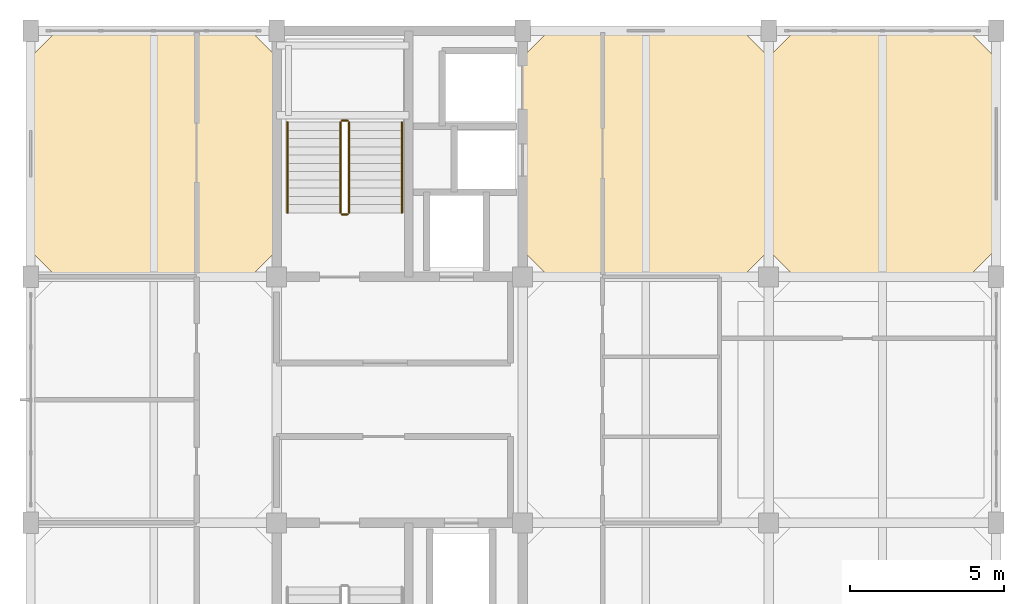
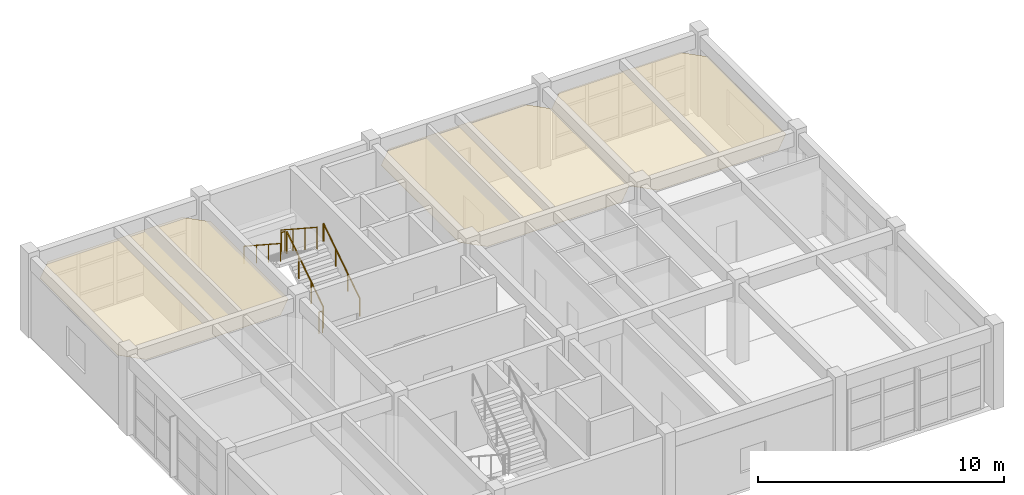
# One storey, part 18 of 18: 6 railings, 3 coverings.
"""IFC4 building model written with IfcOpenShell, lengths in metres."""

import ifcopenshell
import ifcopenshell.guid

model = None  # the IFC model being written
_history = None  # IfcOwnerHistory: only IFC2X3 demands one
_inside = {}  # id of a spatial element -> (the spatial element, [elements in it])
_under = {}  # id of a project, library or spatial element -> (it, [spatial elements below it])
_declared = {}  # id of a project -> (the project, [libraries it declares])
_typed = {}  # id of a type object -> (the type object, [elements of that type])
_made_of = {}  # id of a material, layer set ... -> (it, [elements and type objects made of it])


def new_model(schema):
    """Start an empty IFC model of exactly this schema.

    Asked for "IFC4X3", IfcOpenShell would pick the latest addendum, in which some entities
    have other attributes; the version numbers below select the first issue.
    IFC2X3 requires an IfcOwnerHistory on every rooted entity: one is made here for all.
    """
    global model, _history
    if schema == "IFC4X3":
        model = ifcopenshell.file(schema_version=(4, 3, 0, 0))
    else:
        model = ifcopenshell.file(schema=schema)
    _inside.clear()
    _under.clear()
    _declared.clear()
    _typed.clear()
    _made_of.clear()
    _history = None
    if model.schema == "IFC2X3":
        org = make("IfcOrganization", Name="unknown")
        user = make(
            "IfcPersonAndOrganization",
            ThePerson=make("IfcPerson", FamilyName="unknown"),
            TheOrganization=org,
        )
        app = make(
            "IfcApplication",
            ApplicationDeveloper=org,
            Version="unknown",
            ApplicationFullName="unknown",
            ApplicationIdentifier="unknown",
        )
        _history = make(
            "IfcOwnerHistory",
            OwningUser=user,
            OwningApplication=app,
            ChangeAction="ADDED",
            CreationDate=0,
        )
    return model


def make(cls, **values):
    """One entity of the class cls with the attributes given. An attribute that is None is left unset."""
    return model.create_entity(
        cls, **{name: value for name, value in values.items() if value is not None}
    )


def rooted(cls, **values):
    """An entity with a GlobalId (a new one), such as an element, a storey or a relation."""
    return make(cls, GlobalId=ifcopenshell.guid.new(), OwnerHistory=_history, **values)


def si_unit(unit_type, name, prefix=None):
    """IfcSIUnit, for example si_unit("LENGTHUNIT", "METRE", prefix="MILLI")."""
    return make("IfcSIUnit", UnitType=unit_type, Prefix=prefix, Name=name)


def assignment(units):
    """IfcUnitAssignment: the units of a project."""
    return None if units is None else make("IfcUnitAssignment", Units=units)


def point(xyz):
    """IfcCartesianPoint."""
    return None if xyz is None else make("IfcCartesianPoint", Coordinates=xyz)


def direction(xyz):
    """IfcDirection."""
    return None if xyz is None else make("IfcDirection", DirectionRatios=xyz)


def frame(location, z_axis=None, x_axis=None):
    """IfcAxis2Placement3D, a coordinate frame: its origin and axes. An axis left out is left unset."""
    return make(
        "IfcAxis2Placement3D",
        Location=point(location),
        Axis=direction(z_axis),
        RefDirection=direction(x_axis),
    )


def frame_2d(location, x_axis=None):
    """IfcAxis2Placement2D, a coordinate frame in the plane: its origin and x axis."""
    return make(
        "IfcAxis2Placement2D", Location=point(location), RefDirection=direction(x_axis)
    )


def origin():
    """The frame at (0, 0, 0) with its axes left unset."""
    return frame((0.0, 0.0, 0.0))


def origin_2d():
    """The frame at (0, 0) in the plane with its x axis left unset."""
    return frame_2d((0.0, 0.0))


def place(relative_to, where):
    """IfcLocalPlacement: puts the frame where relative to a parent placement (None: the world)."""
    return make(
        "IfcLocalPlacement", PlacementRelTo=relative_to, RelativePlacement=where
    )


def context(
    kind, dimensions, precision=None, world=None, true_north=None, identifier=None
):
    """IfcGeometricRepresentationContext, for example the 3D "Model" context."""
    return make(
        "IfcGeometricRepresentationContext",
        ContextIdentifier=identifier,
        ContextType=kind,
        CoordinateSpaceDimension=dimensions,
        Precision=precision,
        WorldCoordinateSystem=world,
        TrueNorth=true_north,
    )


def subcontext(parent, identifier, kind, view, scale=None):
    """IfcGeometricRepresentationSubContext, for example "Body" below "Model"."""
    return make(
        "IfcGeometricRepresentationSubContext",
        ContextIdentifier=identifier,
        ContextType=kind,
        ParentContext=parent,
        TargetScale=scale,
        TargetView=view,
    )


def project(units=None, contexts=None):
    """IfcProject with its units and contexts."""
    return rooted(
        "IfcProject",
        Name="project",
        RepresentationContexts=contexts,
        UnitsInContext=assignment(units),
    )


def spatial(cls, under=None, at=None, **own):
    """A site, building, storey or space (cls), placed at a placement, below another one or the project."""
    s = rooted(cls, ObjectPlacement=at, **own)
    if under is not None:
        _under.setdefault(under.id(), (under, []))[1].append(s)
    return s


def polyline(points):
    """IfcPolyline through the points."""
    return make("IfcPolyline", Points=[point(p) for p in points])


def profile(cls, at=None, kind="AREA", **sizes):
    """A parametric profile (cls). Its sizes go by their IFC names, for example OverallWidth=200.0."""
    return make(cls, ProfileType=kind, Position=at, **sizes)


def circle(**sizes):
    """IfcCircleProfileDef."""
    return profile("IfcCircleProfileDef", **sizes)


def outline(outer, holes=None, kind="AREA"):
    """IfcArbitraryClosedProfileDef: a profile drawn as a closed curve; with holes, ...WithVoids."""
    if holes is None:
        return make("IfcArbitraryClosedProfileDef", ProfileType=kind, OuterCurve=outer)
    return make(
        "IfcArbitraryProfileDefWithVoids",
        ProfileType=kind,
        OuterCurve=outer,
        InnerCurves=holes,
    )


def extrude(swept, where, along, depth):
    """IfcExtrudedAreaSolid: the profile swept, set in the frame where, extruded along a direction by depth."""
    return make(
        "IfcExtrudedAreaSolid",
        SweptArea=swept,
        Position=where,
        ExtrudedDirection=direction(along),
        Depth=depth,
    )


def shape(context_of_items, identifier, shape_type, items):
    """IfcShapeRepresentation: the items that make up one representation, for example the "Body"."""
    return make(
        "IfcShapeRepresentation",
        ContextOfItems=context_of_items,
        RepresentationIdentifier=identifier,
        RepresentationType=shape_type,
        Items=items,
    )


def material(Name=None, Category=None):
    """IfcMaterial."""
    return make("IfcMaterial", Name=Name, Category=Category)


def layer(
    of_material, thickness, ventilated=None, Name=None, Category=None, Priority=None
):
    """IfcMaterialLayer: one layer of a wall or slab, of a material (None: an air gap)."""
    return make(
        "IfcMaterialLayer",
        Material=of_material,
        LayerThickness=thickness,
        IsVentilated=ventilated,
        Name=Name,
        Category=Category,
        Priority=Priority,
    )


def layer_set(layers, Name=None):
    """IfcMaterialLayerSet."""
    return make("IfcMaterialLayerSet", MaterialLayers=layers, LayerSetName=Name)


def made_of(thing, what):
    """Note that an element or type object is made of a material, layer set ...; save() writes the relation."""
    if what is not None:
        _made_of.setdefault(what.id(), (what, []))[1].append(thing)
    return thing


def type_object(cls, material=None, **own):
    """A type object (cls), such as IfcWallType, which elements share."""
    return made_of(rooted(cls, **own), material)


def element(
    cls,
    number,
    at=None,
    inside=None,
    cuts=None,
    type_object=None,
    material=None,
    context=None,
    identifier="Body",
    shape_type=None,
    held_by="IfcProductDefinitionShape",
    body=None,
    shapes=None,
    **own,
):
    """One element of the class cls, such as IfcWall. Its Tag is "e" and its number.

    at: its placement. inside: the storey or other place that contains it. cuts: it is an
    opening in that element (IfcRelVoidsElement). A single representation is given by context,
    identifier, shape_type and body (its items); several are given by shapes. held_by: the class
    of the entity that holds the representations. save() writes the other relations.
    """
    e = rooted(cls, Tag="e%d" % number, ObjectPlacement=at, **own)
    if body is not None:
        shapes = [shape(context, identifier, shape_type, body)]
    if shapes is not None:
        e.Representation = make(held_by, Representations=shapes)
    if inside is not None:
        _inside.setdefault(inside.id(), (inside, []))[1].append(e)
    if cuts is not None:
        rooted(
            "IfcRelVoidsElement", RelatingBuildingElement=cuts, RelatedOpeningElement=e
        )
    if type_object is not None:
        _typed.setdefault(type_object.id(), (type_object, []))[1].append(e)
    return made_of(e, material)


def aggregate(whole, parts):
    """IfcRelAggregates: a whole, such as a stair, and the parts it consists of."""
    return rooted("IfcRelAggregates", RelatingObject=whole, RelatedObjects=parts)


def save(model, path):
    """Write the relations noted so far, then the file.

    IfcRelAggregates (storeys below a building ...), IfcRelContainedInSpatialStructure (elements
    in a storey), IfcRelDefinesByType, IfcRelAssociatesMaterial and IfcRelDeclares: one each for
    every whole, place, type object, material and project.
    """
    for whole, parts in _under.values():
        aggregate(whole, parts)
    for where, things in _inside.values():
        rooted(
            "IfcRelContainedInSpatialStructure",
            RelatedElements=things,
            RelatingStructure=where,
        )
    for kind, things in _typed.values():
        rooted("IfcRelDefinesByType", RelatedObjects=things, RelatingType=kind)
    for what, things in _made_of.values():
        rooted("IfcRelAssociatesMaterial", RelatedObjects=things, RelatingMaterial=what)
    for by, libraries in _declared.values():
        rooted("IfcRelDeclares", RelatingContext=by, RelatedDefinitions=libraries)
    model.write(path)


model = new_model("IFC4")

# Units and contexts
model_context = context("Model", 3, precision=1e-05, world=origin(), true_north=direction((0.0, 1.0)))
body_context = subcontext(model_context, "Body", "Model", "MODEL_VIEW")
ifc_project = project(units=[si_unit("LENGTHUNIT", "METRE"), si_unit("AREAUNIT", "SQUARE_METRE"), si_unit("VOLUMEUNIT", "CUBIC_METRE"), si_unit("PLANEANGLEUNIT", "RADIAN"), si_unit("MASSUNIT", "GRAM", prefix="KILO")], contexts=[model_context])

# Site, building, storey
site_placement = place(None, origin())
site = spatial("IfcSite", under=ifc_project, at=site_placement, CompositionType="ELEMENT")
building_placement = place(site_placement, origin())
building = spatial("IfcBuilding", under=site, at=building_placement, Name="Canggui Botanical Conservatory", CompositionType="ELEMENT")
storey_placement = place(building_placement, frame((0.0, 0.0, 61.199951171875)))
storey = spatial("IfcBuildingStorey", under=building, at=storey_placement, Name="L15", CompositionType="ELEMENT", Elevation=61.199951171875)

# Coverings
ifc_material_1 = material(Name="Mineral Fibre Acoustic Board")
ifc_layer_1 = layer(ifc_material_1, 0.014892578125, Name="Mineral Fibre Acoustic Board")
ifc_layer_set_1 = layer_set([ifc_layer_1], Name="Mineral Fibre Acoustic Board")
covering_type_1 = type_object("IfcCoveringType", Name="COV-CEIL-15", PredefinedType="CEILING", material=ifc_layer_set_1)
covering_1_placement = place(storey_placement, frame((0.0, 0.0, 3.195068359375)))
element("IfcCovering", 1, at=covering_1_placement, inside=storey, type_object=covering_type_1, Name="Suspended Acoustic Ceiling L15-146-58", PredefinedType="CEILING", context=body_context, shape_type="SweptSolid", body=[
    extrude(outline(polyline([(146.85009765625, 58.0), (153.14990234375, 58.0), (154.0, 58.85009765625), (154.0, 65.14990234375), (153.14990234375, 66.0), (146.85009765625, 66.0), (146.0, 65.14990234375), (146.0, 58.85009765625), (146.85009765625, 58.0)])), origin(), (0.0, 0.0, 1.0), 0.014892578125),
])
covering_2_placement = place(storey_placement, frame((0.0, 0.0, 3.195068359375)))
element("IfcCovering", 2, at=covering_2_placement, inside=storey, type_object=covering_type_1, Name="Suspended Acoustic Ceiling L15-162-58", PredefinedType="CEILING", context=body_context, shape_type="SweptSolid", body=[
    extrude(outline(polyline([(162.85009765625, 58.0), (169.14990234375, 58.0), (170.0, 58.85009765625), (170.0, 65.14990234375), (169.14990234375, 66.0), (162.85009765625, 66.0), (162.0, 65.14990234375), (162.0, 58.85009765625), (162.85009765625, 58.0)])), origin(), (0.0, 0.0, 1.0), 0.014892578125),
])
ifc_material_2 = material(Name="Perforated Gypsum Acoustic Panel")
ifc_layer_2 = layer(ifc_material_2, 0.02001953125, Name="Perforated Gypsum Acoustic Panel")
ifc_layer_set_2 = layer_set([ifc_layer_2], Name="Perforated Gypsum Acoustic Panel")
covering_type_2 = type_object("IfcCoveringType", Name="COV-CEIL-20", PredefinedType="CEILING", material=ifc_layer_set_2)
covering_3_placement = place(storey_placement, frame((0.0, 0.0, 3.18994140625)))
element("IfcCovering", 3, at=covering_3_placement, inside=storey, type_object=covering_type_2, Name="Suspended Acoustic Ceiling L15-170-58", PredefinedType="CEILING", context=body_context, shape_type="SweptSolid", body=[
    extrude(outline(polyline([(170.85009765625, 58.0), (176.5, 58.0), (177.35009765625, 58.85009765625), (177.35009765625, 65.14990234375), (176.5, 66.0), (170.85009765625, 66.0), (170.0, 65.14990234375), (170.0, 58.85009765625), (170.85009765625, 58.0)])), origin(), (0.0, 0.0, 1.0), 0.02001953125),
])

# Railings
ifc_material_3 = material(Name="Stainless Steel 304", Category="steel")
railing_type_1 = type_object("IfcRailingType", Name="RAIL-GUARD-1100", PredefinedType="BALUSTRADE", material=ifc_material_3)
railing_1_placement = place(storey_placement, frame((156.35009765625, 60.080078125, 0.175048828125)))
element("IfcRailing", 4, at=railing_1_placement, inside=storey, type_object=railing_type_1, Name="L15 ST-T2 stair guard 1", PredefinedType="BALUSTRADE", context=body_context, shape_type="SweptSolid", body=[
    extrude(circle(Radius=0.02392578125, at=origin_2d()), frame((0.0, 0.0, 1.076171875), z_axis=(0.0, 0.837293178872, 0.54675417933), x_axis=(-1.0, 0.0, 0.0)), (0.0, 0.0, 1.0), 3.520751953125),
    extrude(circle(Radius=0.02099609375, at=origin_2d()), origin(), (0.0, 0.0, 1.0), 1.052001953125),
    extrude(circle(Radius=0.02099609375, at=origin_2d()), frame((0.0, 0.982666015625, 0.6416015625)), (0.0, 0.0, 1.0), 1.052001953125),
    extrude(circle(Radius=0.02099609375, at=origin_2d()), frame((0.0, 1.96533203125, 1.283447265625)), (0.0, 0.0, 1.0), 1.052001953125),
    extrude(circle(Radius=0.02099609375, at=origin_2d()), frame((0.0, 2.947998046875, 1.925048828125)), (0.0, 0.0, 1.0), 1.052001953125),
])
railing_2_placement = place(storey_placement, frame((156.300048828125, 63.077880859375, 2.10009765625)))
element("IfcRailing", 5, at=railing_2_placement, inside=storey, type_object=railing_type_1, Name="L15 ST-T2 stair guard 2", PredefinedType="BALUSTRADE", context=body_context, shape_type="SweptSolid", body=[
    extrude(circle(Radius=0.02392578125, at=origin_2d()), frame((0.0, 0.0, 1.076171875), z_axis=(-1.0, 0.0, 0.0), x_axis=(0.0, -1.0, 0.0)), (0.0, 0.0, 1.0), 0.179931640625),
    extrude(circle(Radius=0.02099609375, at=origin_2d()), origin(), (0.0, 0.0, 1.0), 1.052001953125),
    extrude(circle(Radius=0.02099609375, at=origin_2d()), frame((-0.179931640625, 0.0, 0.0)), (0.0, 0.0, 1.0), 1.052001953125),
])
railing_3_placement = place(storey_placement, frame((156.070068359375, 63.028076171875, 2.275146484375)))
element("IfcRailing", 6, at=railing_3_placement, inside=storey, type_object=railing_type_1, Name="L15 ST-T2 stair guard 3", PredefinedType="BALUSTRADE", context=body_context, shape_type="SweptSolid", body=[
    extrude(circle(Radius=0.02392578125, at=origin_2d()), frame((0.0, 0.0, 1.076171875), z_axis=(0.0, -0.837324922549, 0.546705564338), x_axis=(1.0, 0.0, 0.0)), (0.0, 0.0, 1.0), 3.520751953125),
    extrude(circle(Radius=0.02099609375, at=origin_2d()), origin(), (0.0, 0.0, 1.0), 1.052001953125),
    extrude(circle(Radius=0.02099609375, at=origin_2d()), frame((0.0, -0.982666015625, 0.6416015625)), (0.0, 0.0, 1.0), 1.052001953125),
    extrude(circle(Radius=0.02099609375, at=origin_2d()), frame((0.0, -1.96533203125, 1.283203125)), (0.0, 0.0, 1.0), 1.052001953125),
    extrude(circle(Radius=0.02099609375, at=origin_2d()), frame((0.0, -2.947998046875, 1.9248046875)), (0.0, 0.0, 1.0), 1.052001953125),
])
railing_4_placement = place(storey_placement, frame((156.300048828125, 60.030029296875, 0.0)))
element("IfcRailing", 7, at=railing_4_placement, inside=storey, type_object=railing_type_1, Name="L15 ST-T2 stair guard 4", PredefinedType="BALUSTRADE", context=body_context, shape_type="SweptSolid", body=[
    extrude(circle(Radius=0.02392578125, at=origin_2d()), frame((0.0, 0.0, 1.076171875), z_axis=(-1.0, 0.0, 0.0), x_axis=(0.0, -1.0, 0.0)), (0.0, 0.0, 1.0), 0.179931640625),
    extrude(circle(Radius=0.02099609375, at=origin_2d()), origin(), (0.0, 0.0, 1.0), 1.052001953125),
    extrude(circle(Radius=0.02099609375, at=origin_2d()), frame((-0.179931640625, 0.0, 0.0)), (0.0, 0.0, 1.0), 1.052001953125),
])
railing_type_2 = type_object("IfcRailingType", Name="RAIL-HAND-900", PredefinedType="HANDRAIL", material=ifc_material_3)
railing_5_placement = place(storey_placement, frame((158.070068359375, 60.080078125, 0.175048828125)))
element("IfcRailing", 8, at=railing_5_placement, inside=storey, type_object=railing_type_2, Name="L15 ST-T2 stair handrail 1", PredefinedType="HANDRAIL", context=body_context, shape_type="SweptSolid", body=[
    extrude(circle(Radius=0.02392578125, at=origin_2d()), frame((0.0, 0.0, 0.8759765625), z_axis=(0.0, 0.837293178872, 0.54675417933), x_axis=(-1.0, 0.0, 0.0)), (0.0, 0.0, 1.0), 3.520751953125),
    extrude(circle(Radius=0.02099609375, at=origin_2d()), origin(), (0.0, 0.0, 1.0), 0.851806640625),
    extrude(circle(Radius=0.02099609375, at=origin_2d()), frame((0.0, 0.982666015625, 0.6416015625)), (0.0, 0.0, 1.0), 0.851806640625),
    extrude(circle(Radius=0.02099609375, at=origin_2d()), frame((0.0, 1.96533203125, 1.283447265625)), (0.0, 0.0, 1.0), 0.851806640625),
    extrude(circle(Radius=0.02099609375, at=origin_2d()), frame((0.0, 2.947998046875, 1.925048828125)), (0.0, 0.0, 1.0), 0.851806640625),
])
railing_6_placement = place(storey_placement, frame((154.35009765625, 63.028076171875, 2.275146484375)))
element("IfcRailing", 9, at=railing_6_placement, inside=storey, type_object=railing_type_2, Name="L15 ST-T2 stair handrail 2", PredefinedType="HANDRAIL", context=body_context, shape_type="SweptSolid", body=[
    extrude(circle(Radius=0.02392578125, at=origin_2d()), frame((0.0, 0.0, 0.8759765625), z_axis=(0.0, -0.837324922549, 0.546705564338), x_axis=(1.0, 0.0, 0.0)), (0.0, 0.0, 1.0), 3.520751953125),
    extrude(circle(Radius=0.02099609375, at=origin_2d()), origin(), (0.0, 0.0, 1.0), 0.851806640625),
    extrude(circle(Radius=0.02099609375, at=origin_2d()), frame((0.0, -0.982666015625, 0.6416015625)), (0.0, 0.0, 1.0), 0.851806640625),
    extrude(circle(Radius=0.02099609375, at=origin_2d()), frame((0.0, -1.96533203125, 1.283203125)), (0.0, 0.0, 1.0), 0.851806640625),
    extrude(circle(Radius=0.02099609375, at=origin_2d()), frame((0.0, -2.947998046875, 1.9248046875)), (0.0, 0.0, 1.0), 0.851806640625),
])

save(model, "model.ifc")
